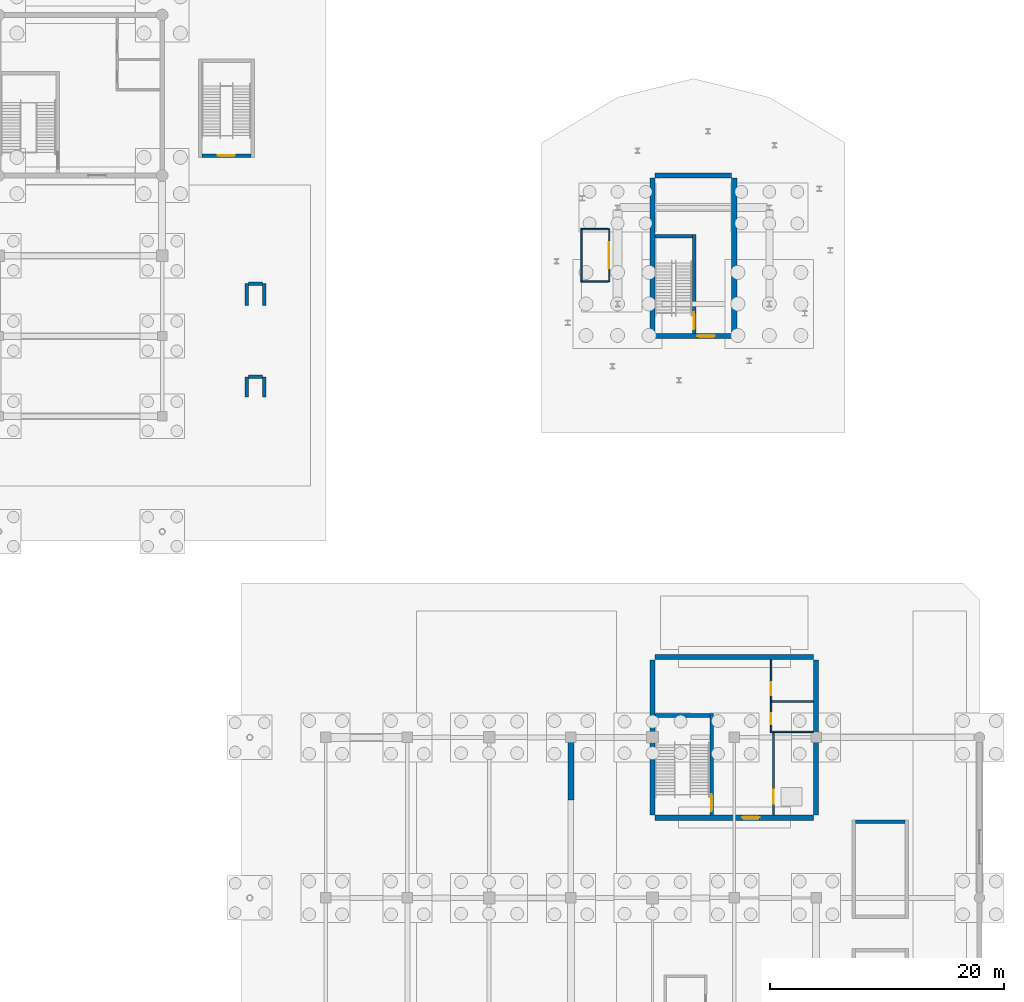
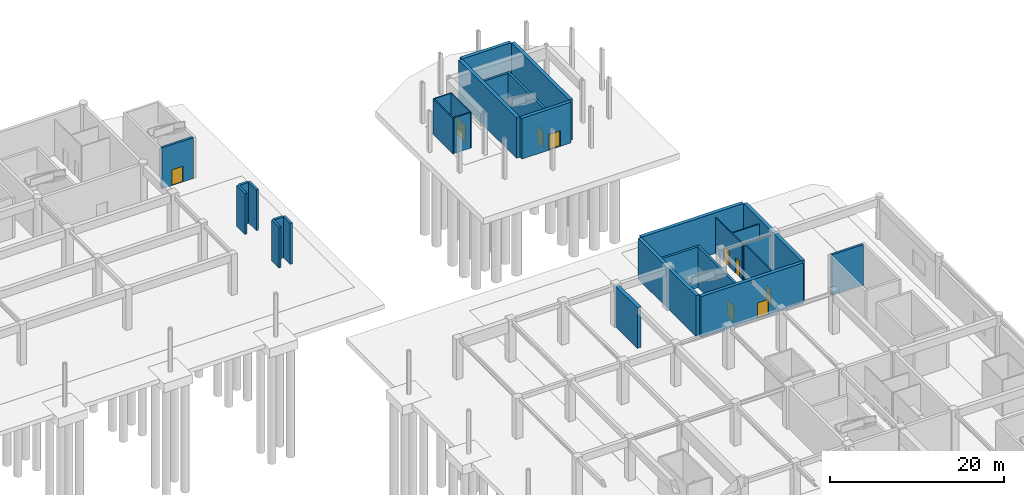
# One storey, part 50 of 62: 29 walls, 9 doors, 9 openings.
"""IFC4 building model written with IfcOpenShell, lengths in metres."""

from ifc_helpers import new_model, si_unit, direction, frame, frame_2d, origin, place, context, subcontext, project, spatial, rectangle, extrude, material, layer, layer_set, type_object, element, fill, save


model = new_model("IFC4")

# Units and contexts
model_context = context("Model", 3, precision=1e-05, world=origin(), true_north=direction((0.0, 1.0)))
body_context = subcontext(model_context, "Body", "Model", "MODEL_VIEW")
ifc_project = project(units=[si_unit("LENGTHUNIT", "METRE"), si_unit("AREAUNIT", "SQUARE_METRE"), si_unit("VOLUMEUNIT", "CUBIC_METRE"), si_unit("PLANEANGLEUNIT", "RADIAN"), si_unit("MASSUNIT", "GRAM", prefix="KILO")], contexts=[model_context])

# Site, building, storey
site_placement = place(None, origin())
site = spatial("IfcSite", under=ifc_project, at=site_placement, CompositionType="ELEMENT")
building_placement = place(site_placement, origin())
building = spatial("IfcBuilding", under=site, at=building_placement, Name="Linyun Crest Stadium", CompositionType="ELEMENT")
storey_placement = place(building_placement, frame((0.0, 0.0, -6.0)))
storey = spatial("IfcBuildingStorey", under=building, at=storey_placement, Name="B1", CompositionType="ELEMENT", Elevation=-6.0)

# Walls
ifc_material_1 = material(Name="Concrete C50", Category="concrete")
ifc_layer_1 = layer(ifc_material_1, 0.449951171875)
ifc_layer_set_1 = layer_set([ifc_layer_1], Name="Concrete C50")
wall_type_1 = type_object("IfcWallType", Name="CW03", PredefinedType="SHEAR", material=ifc_layer_set_1)
for number, where, z_axis, x_axis, name in (
    (1, (70.0, 36.72509765625, 0.0), (0.0, 0.0, 1.0), (0.0, 1.0, 0.0), "Core shear wall CW03 CORE-E3 B1.1"),
    (2, (84.0, 36.72509765625, 0.0), (0.0, 0.0, 1.0), (0.0, 1.0, 0.0), "Core shear wall CW03 CORE-E3 B1.2"),
):
    element("IfcWall", number, at=place(storey_placement, frame(where, z_axis=z_axis, x_axis=x_axis)), inside=storey, type_object=wall_type_1, Name=name, PredefinedType="SHEAR", context=body_context, shape_type="SweptSolid", body=[
        extrude(rectangle(XDim=13.2998046875, YDim=0.449951171875, at=frame_2d((6.64990234375, 0.0))), origin(), (0.0, 0.0, 1.0), 5.719970703125),
    ])

# Wall, opening, door
wall_1_placement = place(storey_placement, frame((70.22509765625, 36.5, 0.0), z_axis=(0.0, 0.0, 1.0), x_axis=(1.0, 0.0, 0.0)))
wall_1 = element("IfcWall", 3, at=wall_1_placement, inside=storey, type_object=wall_type_1, Name="Core shear wall CW03 CORE-E3 B1.3", PredefinedType="SHEAR", context=body_context, shape_type="SweptSolid", body=[
    extrude(rectangle(XDim=13.5498046875, YDim=0.449951171875, at=frame_2d((6.77490234375, 0.0))), origin(), (0.0, 0.0, 1.0), 5.719970703125),
])
opening_1_placement = place(wall_1_placement, frame((7.452880859375, 0.0, 0.0)))
opening_1 = element("IfcOpeningElement", 4, at=opening_1_placement, cuts=wall_1, Name="Opening D-B1-226", PredefinedType="OPENING", context=body_context, shape_type="SweptSolid", body=[
    extrude(rectangle(XDim=1.5, YDim=2.199951171875, at=frame_2d((0.75, 1.10009765625))), frame((0.0, 0.23486328125, 0.0), z_axis=(0.0, -1.0, 0.0), x_axis=(1.0, 0.0, 0.0)), (0.0, 0.0, 1.0), 0.469970703125),
])
ifc_material_2 = material(Name="Galvanized steel Class A fire door", Category="steel")
ifc_layer_2 = layer(ifc_material_2, 0.054931640625)
ifc_layer_set_2 = layer_set([ifc_layer_2], Name="Galvanized steel Class A fire door")
door_type_1 = type_object("IfcDoorType", Name="FD01", OperationType="NOTDEFINED", PredefinedType="DOOR", material=ifc_layer_set_2)
door_1_placement = place(opening_1_placement, origin())
door_1 = element("IfcDoor", 5, at=door_1_placement, inside=storey, type_object=door_type_1, Name="Door D-B1-226", OperationType="SINGLE_SWING_RIGHT", OverallHeight=2.199951171875, OverallWidth=1.5, PredefinedType="DOOR", context=body_context, shape_type="SweptSolid", body=[
    extrude(rectangle(XDim=1.5, YDim=2.199951171875, at=frame_2d((0.75, 1.10009765625))), frame((0.0, 0.02490234375, 0.0), z_axis=(0.0, -1.0, 0.0), x_axis=(1.0, 0.0, 0.0)), (0.0, 0.0, 1.0), 0.050048828125),
])
fill(opening_1, door_1)

# Walls
wall_2_placement = place(storey_placement, frame((70.22509765625, 50.25, 0.0), z_axis=(0.0, 0.0, 1.0), x_axis=(1.0, 0.0, 0.0)))
element("IfcWall", 6, at=wall_2_placement, inside=storey, type_object=wall_type_1, Name="Core shear wall CW03 CORE-E3 B1.4", PredefinedType="SHEAR", context=body_context, shape_type="SweptSolid", body=[
    extrude(rectangle(XDim=13.5498046875, YDim=0.449951171875, at=frame_2d((6.77490234375, 0.0))), origin(), (0.0, 0.0, 1.0), 5.719970703125),
])
for number, where, z_axis, x_axis, name in (
    (7, (70.0, 77.97509765625, 0.0), (0.0, 0.0, 1.0), (0.0, 1.0, 0.0), "Core shear wall CW03 CORE-PNE B1.1"),
    (8, (77.0, 77.97509765625, 0.0), (0.0, 0.0, 1.0), (0.0, 1.0, 0.0), "Core shear wall CW03 CORE-PNE B1.2"),
):
    element("IfcWall", number, at=place(storey_placement, frame(where, z_axis=z_axis, x_axis=x_axis)), inside=storey, type_object=wall_type_1, Name=name, PredefinedType="SHEAR", context=body_context, shape_type="SweptSolid", body=[
        extrude(rectangle(XDim=13.2998046875, YDim=0.449951171875, at=frame_2d((6.64990234375, 0.0))), origin(), (0.0, 0.0, 1.0), 5.719970703125),
    ])

# Wall, opening, door
wall_3_placement = place(storey_placement, frame((70.22509765625, 77.75, 0.0), z_axis=(0.0, 0.0, 1.0), x_axis=(1.0, 0.0, 0.0)))
wall_3 = element("IfcWall", 9, at=wall_3_placement, inside=storey, type_object=wall_type_1, Name="Core shear wall CW03 CORE-PNE B1.3", PredefinedType="SHEAR", context=body_context, shape_type="SweptSolid", body=[
    extrude(rectangle(XDim=6.5498046875, YDim=0.449951171875, at=frame_2d((3.27490234375, 0.0))), origin(), (0.0, 0.0, 1.0), 5.719970703125),
])
opening_2_placement = place(wall_3_placement, frame((3.60302734375, 0.0, 0.0)))
opening_2 = element("IfcOpeningElement", 10, at=opening_2_placement, cuts=wall_3, Name="Opening D-B1-387", PredefinedType="OPENING", context=body_context, shape_type="SweptSolid", body=[
    extrude(rectangle(XDim=1.5, YDim=2.199951171875, at=frame_2d((0.75, 1.10009765625))), frame((0.0, 0.23486328125, 0.0), z_axis=(0.0, -1.0, 0.0), x_axis=(1.0, 0.0, 0.0)), (0.0, 0.0, 1.0), 0.469970703125),
])
door_2_placement = place(opening_2_placement, origin())
door_2 = element("IfcDoor", 11, at=door_2_placement, inside=storey, type_object=door_type_1, Name="Door D-B1-387", OperationType="SINGLE_SWING_LEFT", OverallHeight=2.199951171875, OverallWidth=1.5, PredefinedType="DOOR", context=body_context, shape_type="SweptSolid", body=[
    extrude(rectangle(XDim=1.5, YDim=2.199951171875, at=frame_2d((0.75, 1.10009765625))), frame((0.0, 0.02490234375, 0.0), z_axis=(0.0, -1.0, 0.0), x_axis=(1.0, 0.0, 0.0)), (0.0, 0.0, 1.0), 0.050048828125),
])
fill(opening_2, door_2)

# Wall
wall_4_placement = place(storey_placement, frame((70.22509765625, 91.5, 0.0), z_axis=(0.0, 0.0, 1.0), x_axis=(1.0, 0.0, 0.0)))
element("IfcWall", 12, at=wall_4_placement, inside=storey, type_object=wall_type_1, Name="Core shear wall CW03 CORE-PNE B1.4", PredefinedType="SHEAR", context=body_context, shape_type="SweptSolid", body=[
    extrude(rectangle(XDim=6.5498046875, YDim=0.449951171875, at=frame_2d((3.27490234375, 0.0))), origin(), (0.0, 0.0, 1.0), 5.719970703125),
])

# Wall, opening, door
ifc_material_3 = material(Name="Autoclaved aerated concrete block fire partition", Category="concrete")
ifc_layer_3 = layer(ifc_material_3, 0.179931640625)
ifc_layer_set_3 = layer_set([ifc_layer_3], Name="Autoclaved aerated concrete block fire partition")
wall_type_2 = type_object("IfcWallType", Name="PW12", PredefinedType="PARTITIONING", material=ifc_layer_set_3)
wall_5_placement = place(storey_placement, frame((80.35009765625, 36.72509765625, 0.0), z_axis=(0.0, 0.0, 1.0), x_axis=(0.0, 1.0, 0.0)))
wall_5 = element("IfcWall", 13, at=wall_5_placement, inside=storey, type_object=wall_type_2, Name="Partition PW12 B1 81", PredefinedType="PARTITIONING", context=body_context, shape_type="SweptSolid", body=[
    extrude(rectangle(XDim=7.054931640625, YDim=0.179931640625, at=frame_2d((3.52734375, 0.0))), origin(), (0.0, 0.0, 1.0), 5.02001953125),
])
opening_3_placement = place(wall_5_placement, frame((0.97509765625, 0.0, 0.0)))
opening_3 = element("IfcOpeningElement", 14, at=opening_3_placement, cuts=wall_5, Name="Opening LD079", PredefinedType="OPENING", context=body_context, shape_type="SweptSolid", body=[
    extrude(rectangle(XDim=1.199951171875, YDim=2.25, at=frame_2d((0.60009765625, 1.125))), frame((0.0, 0.099853515625, 0.0), z_axis=(0.0, -1.0, 0.0), x_axis=(1.0, 0.0, 0.0)), (0.0, 0.0, 1.0), 0.199951171875),
])
ifc_material_4 = material(Name="Brushed stainless sliding lift door")
ifc_layer_4 = layer(ifc_material_4, 0.050048828125)
ifc_layer_set_4 = layer_set([ifc_layer_4], Name="Brushed stainless sliding lift door")
door_type_2 = type_object("IfcDoorType", Name="LD02", OperationType="NOTDEFINED", PredefinedType="DOOR", material=ifc_layer_set_4)
door_3_placement = place(opening_3_placement, origin())
door_3 = element("IfcDoor", 15, at=door_3_placement, inside=storey, type_object=door_type_2, Name="Lift landing door LD079", OperationType="DOUBLE_DOOR_SLIDING", OverallHeight=2.25, OverallWidth=1.199951171875, PredefinedType="DOOR", context=body_context, shape_type="SweptSolid", body=[
    extrude(rectangle(XDim=1.199951171875, YDim=2.25, at=frame_2d((0.60009765625, 1.125))), frame((0.0, 0.02490234375, 0.0), z_axis=(0.0, -1.0, 0.0), x_axis=(1.0, 0.0, 0.0)), (0.0, 0.0, 1.0), 0.050048828125),
])
fill(opening_3, door_3)

# Wall, openings, doors
ifc_material_5 = material(Name="Moisture-resistant ceramic-tiled wet-room wall")
ifc_layer_5 = layer(ifc_material_5, 0.139892578125)
ifc_layer_set_5 = layer_set([ifc_layer_5], Name="Moisture-resistant ceramic-tiled wet-room wall")
wall_type_3 = type_object("IfcWallType", Name="PW15", PredefinedType="PARTITIONING", material=ifc_layer_set_5)
wall_6_placement = place(storey_placement, frame((80.14990234375, 43.919921875, 0.0), z_axis=(0.0, 0.0, 1.0), x_axis=(0.0, 1.0, 0.0)))
wall_6 = element("IfcWall", 16, at=wall_6_placement, inside=storey, type_object=wall_type_3, Name="Partition PW15 B1 82", PredefinedType="PARTITIONING", context=body_context, shape_type="SweptSolid", body=[
    extrude(rectangle(XDim=6.10498046875, YDim=0.139892578125, at=frame_2d((3.052490234375, 0.0))), origin(), (0.0, 0.0, 1.0), 5.02001953125),
])
opening_4_placement = place(wall_6_placement, frame((0.580078125, 0.0, 0.0)))
opening_4 = element("IfcOpeningElement", 17, at=opening_4_placement, cuts=wall_6, Name="Opening D-B1-229", PredefinedType="OPENING", context=body_context, shape_type="SweptSolid", body=[
    extrude(rectangle(XDim=0.949951171875, YDim=2.14990234375, at=frame_2d((0.47509765625, 1.074951171875))), frame((0.0, 0.079833984375, 0.0), z_axis=(0.0, -1.0, 0.0), x_axis=(1.0, 0.0, 0.0)), (0.0, 0.0, 1.0), 0.159912109375),
])
opening_5_placement = place(wall_6_placement, frame((3.080078125, 0.0, 0.0)))
opening_5 = element("IfcOpeningElement", 18, at=opening_5_placement, cuts=wall_6, Name="Opening D-B1-230", PredefinedType="OPENING", context=body_context, shape_type="SweptSolid", body=[
    extrude(rectangle(XDim=1.10009765625, YDim=2.14990234375, at=frame_2d((0.550048828125, 1.074951171875))), frame((0.0, 0.079833984375, 0.0), z_axis=(0.0, -1.0, 0.0), x_axis=(1.0, 0.0, 0.0)), (0.0, 0.0, 1.0), 0.159912109375),
])
ifc_material_6 = material(Name="Moisture-resistant laminate leaf")
ifc_layer_6 = layer(ifc_material_6, 0.044921875)
ifc_layer_set_6 = layer_set([ifc_layer_6], Name="Moisture-resistant laminate leaf")
door_type_3 = type_object("IfcDoorType", Name="ID02", OperationType="NOTDEFINED", PredefinedType="DOOR", material=ifc_layer_set_6)
door_4_placement = place(opening_4_placement, origin())
door_4 = element("IfcDoor", 19, at=door_4_placement, inside=storey, type_object=door_type_3, Name="Door D-B1-229", OperationType="SINGLE_SWING_LEFT", OverallHeight=2.14990234375, OverallWidth=0.949951171875, PredefinedType="DOOR", context=body_context, shape_type="SweptSolid", body=[
    extrude(rectangle(XDim=0.949951171875, YDim=2.14990234375, at=frame_2d((0.47509765625, 1.074951171875))), frame((0.0, 0.02490234375, 0.0), z_axis=(0.0, -1.0, 0.0), x_axis=(1.0, 0.0, 0.0)), (0.0, 0.0, 1.0), 0.050048828125),
])
fill(opening_4, door_4)
ifc_material_7 = material(Name="Moisture-resistant laminate leaf")
ifc_layer_7 = layer(ifc_material_7, 0.044921875)
ifc_layer_set_7 = layer_set([ifc_layer_7], Name="Moisture-resistant laminate leaf")
door_type_4 = type_object("IfcDoorType", Name="ID03", OperationType="NOTDEFINED", PredefinedType="DOOR", material=ifc_layer_set_7)
door_5_placement = place(opening_5_placement, origin())
door_5 = element("IfcDoor", 20, at=door_5_placement, inside=storey, type_object=door_type_4, Name="Door D-B1-230", OperationType="SINGLE_SWING_RIGHT", OverallHeight=2.14990234375, OverallWidth=1.10009765625, PredefinedType="DOOR", context=body_context, shape_type="SweptSolid", body=[
    extrude(rectangle(XDim=1.10009765625, YDim=2.14990234375, at=frame_2d((0.550048828125, 1.074951171875))), frame((0.0, 0.02490234375, 0.0), z_axis=(0.0, -1.0, 0.0), x_axis=(1.0, 0.0, 0.0)), (0.0, 0.0, 1.0), 0.050048828125),
])
fill(opening_5, door_5)

# Walls
wall_7_placement = place(storey_placement, frame((80.080078125, 43.85009765625, 0.0), z_axis=(0.0, 0.0, 1.0), x_axis=(1.0, 0.0, 0.0)))
element("IfcWall", 21, at=wall_7_placement, inside=storey, type_object=wall_type_3, Name="Enclosure partition PW15 B1 67", PredefinedType="PARTITIONING", context=body_context, shape_type="SweptSolid", body=[
    extrude(rectangle(XDim=3.69482421875, YDim=0.139892578125, at=frame_2d((1.847412109375, 0.0))), origin(), (0.0, 0.0, 1.0), 5.02001953125),
])
wall_8_placement = place(storey_placement, frame((80.219970703125, 46.449951171875, 0.0), z_axis=(0.0, 0.0, 1.0), x_axis=(1.0, 0.0, 0.0)))
element("IfcWall", 22, at=wall_8_placement, inside=storey, type_object=wall_type_3, Name="Enclosure partition PW15 B1 68", PredefinedType="PARTITIONING", context=body_context, shape_type="SweptSolid", body=[
    extrude(rectangle(XDim=3.554931640625, YDim=0.139892578125, at=frame_2d((1.77734375, 0.0))), origin(), (0.0, 0.0, 1.0), 5.02001953125),
])

# Wall, opening, door
ifc_material_8 = material(Name="Steel-stud hospitality suite partition", Category="steel")
ifc_layer_8 = layer(ifc_material_8, 0.125)
ifc_layer_set_8 = layer_set([ifc_layer_8], Name="Steel-stud hospitality suite partition")
wall_type_4 = type_object("IfcWallType", Name="PW17", PredefinedType="PARTITIONING", material=ifc_layer_set_8)
wall_9_placement = place(storey_placement, frame((66.27490234375, 86.968017578125, 0.0), z_axis=(0.0, 0.0, 1.0), x_axis=(0.0, -1.0, 0.0)))
wall_9 = element("IfcWall", 23, at=wall_9_placement, inside=storey, type_object=wall_type_4, Name="Partition PW17 B1 266", PredefinedType="PARTITIONING", context=body_context, shape_type="SweptSolid", body=[
    extrude(rectangle(XDim=4.60009765625, YDim=0.125, at=frame_2d((2.300048828125, 0.0))), origin(), (0.0, 0.0, 1.0), 5.02001953125),
])
opening_6_placement = place(wall_9_placement, frame((1.175048828125, 0.0, 0.0)))
opening_6 = element("IfcOpeningElement", 24, at=opening_6_placement, cuts=wall_9, Name="Opening D-B1-529", PredefinedType="OPENING", context=body_context, shape_type="SweptSolid", body=[
    extrude(rectangle(XDim=2.25, YDim=2.449951171875, at=frame_2d((1.125, 1.22509765625))), frame((0.0, 0.072509765625, 0.0), z_axis=(0.0, -1.0, 0.0), x_axis=(1.0, 0.0, 0.0)), (0.0, 0.0, 1.0), 0.14501953125),
])
ifc_material_9 = material(Name="Double-leaf anodized aluminium door", Category="aluminium")
ifc_layer_9 = layer(ifc_material_9, 0.054931640625)
ifc_layer_set_9 = layer_set([ifc_layer_9], Name="Double-leaf anodized aluminium door")
door_type_5 = type_object("IfcDoorType", Name="ID10", OperationType="NOTDEFINED", PredefinedType="DOOR", material=ifc_layer_set_9)
door_6_placement = place(opening_6_placement, origin())
door_6 = element("IfcDoor", 25, at=door_6_placement, inside=storey, type_object=door_type_5, Name="Door D-B1-529", OperationType="DOUBLE_DOOR_SINGLE_SWING", OverallHeight=2.449951171875, OverallWidth=2.25, PredefinedType="DOOR", context=body_context, shape_type="SweptSolid", body=[
    extrude(rectangle(XDim=2.25, YDim=2.449951171875, at=frame_2d((1.125, 1.22509765625))), frame((0.0, 0.02490234375, 0.0), z_axis=(0.0, -1.0, 0.0), x_axis=(1.0, 0.0, 0.0)), (0.0, 0.0, 1.0), 0.050048828125),
])
fill(opening_6, door_6)

# Walls
wall_10_placement = place(storey_placement, frame((63.925048828125, 82.367919921875, 0.0), z_axis=(0.0, 0.0, 1.0), x_axis=(0.0, 1.0, 0.0)))
element("IfcWall", 26, at=wall_10_placement, inside=storey, type_object=wall_type_4, Name="Enclosure partition PW17 B1 514", PredefinedType="PARTITIONING", context=body_context, shape_type="SweptSolid", body=[
    extrude(rectangle(XDim=4.60009765625, YDim=0.125, at=frame_2d((2.300048828125, 0.0))), origin(), (0.0, 0.0, 1.0), 5.02001953125),
])
for number, where, z_axis, x_axis, name in (
    (27, (63.988037109375, 82.430908203125, 0.0), (0.0, 0.0, 1.0), (1.0, 0.0, 0.0), "Enclosure partition PW17 B1 515"),
    (28, (63.988037109375, 86.905029296875, 0.0), (0.0, 0.0, 1.0), (1.0, 0.0, 0.0), "Enclosure partition PW17 B1 516"),
):
    element("IfcWall", number, at=place(storey_placement, frame(where, z_axis=z_axis, x_axis=x_axis)), inside=storey, type_object=wall_type_4, Name=name, PredefinedType="PARTITIONING", context=body_context, shape_type="SweptSolid", body=[
        extrude(rectangle(XDim=2.223876953125, YDim=0.125, at=frame_2d((1.11181640625, 0.0))), origin(), (0.0, 0.0, 1.0), 5.02001953125),
    ])

# Wall, opening, door
ifc_material_10 = material(Name="Concrete C50", Category="concrete")
ifc_layer_10 = layer(ifc_material_10, 0.300048828125)
ifc_layer_set_10 = layer_set([ifc_layer_10], Name="Concrete C50")
wall_type_5 = type_object("IfcWallType", Name="SW01", PredefinedType="SHEAR", material=ifc_layer_set_10)
wall_11_placement = place(storey_placement, frame((75.050048828125, 36.72509765625, 0.0), z_axis=(0.0, 0.0, 1.0), x_axis=(0.0, 1.0, 0.0)))
wall_11 = element("IfcWall", 29, at=wall_11_placement, inside=storey, type_object=wall_type_5, Name="Core stair east bearing wall SW01 6 B1", PredefinedType="SHEAR", context=body_context, shape_type="SweptSolid", body=[
    extrude(rectangle(XDim=8.6748046875, YDim=0.300048828125, at=frame_2d((4.33740234375, 0.0))), origin(), (0.0, 0.0, 1.0), 5.719970703125),
])
opening_7_placement = place(wall_11_placement, frame((0.344970703125, 0.0, 0.0)))
opening_7 = element("IfcOpeningElement", 30, at=opening_7_placement, cuts=wall_11, Name="Opening D-B1-227", PredefinedType="OPENING", context=body_context, shape_type="SweptSolid", body=[
    extrude(rectangle(XDim=1.449951171875, YDim=2.199951171875, at=frame_2d((0.72509765625, 1.10009765625))), frame((0.0, 0.159912109375, 0.0), z_axis=(0.0, -1.0, 0.0), x_axis=(1.0, 0.0, 0.0)), (0.0, 0.0, 1.0), 0.320068359375),
])
ifc_material_11 = material(Name="Galvanized steel Class A fire door", Category="steel")
ifc_layer_11 = layer(ifc_material_11, 0.054931640625)
ifc_layer_set_11 = layer_set([ifc_layer_11], Name="Galvanized steel Class A fire door")
door_type_6 = type_object("IfcDoorType", Name="FD02", OperationType="NOTDEFINED", PredefinedType="DOOR", material=ifc_layer_set_11)
door_7_placement = place(opening_7_placement, origin())
door_7 = element("IfcDoor", 31, at=door_7_placement, inside=storey, type_object=door_type_6, Name="Door D-B1-227", OperationType="SINGLE_SWING_LEFT", OverallHeight=2.199951171875, OverallWidth=1.449951171875, PredefinedType="DOOR", context=body_context, shape_type="SweptSolid", body=[
    extrude(rectangle(XDim=1.449951171875, YDim=2.199951171875, at=frame_2d((0.72509765625, 1.10009765625))), frame((0.0, 0.02490234375, 0.0), z_axis=(0.0, -1.0, 0.0), x_axis=(1.0, 0.0, 0.0)), (0.0, 0.0, 1.0), 0.050048828125),
])
fill(opening_7, door_7)

wall_12_placement = place(storey_placement, frame((73.550048828125, 77.97509765625, 0.0), z_axis=(0.0, 0.0, 1.0), x_axis=(0.0, 1.0, 0.0)))
wall_12 = element("IfcWall", 32, at=wall_12_placement, inside=storey, type_object=wall_type_5, Name="Core stair east bearing wall SW01 12 B1", PredefinedType="SHEAR", context=body_context, shape_type="SweptSolid", body=[
    extrude(rectangle(XDim=8.474853515625, YDim=0.300048828125, at=frame_2d((4.2373046875, 0.0))), origin(), (0.0, 0.0, 1.0), 5.719970703125),
])
opening_8_placement = place(wall_12_placement, frame((0.344970703125, 0.0, 0.0)))
opening_8 = element("IfcOpeningElement", 33, at=opening_8_placement, cuts=wall_12, Name="Opening D-B1-388", PredefinedType="OPENING", context=body_context, shape_type="SweptSolid", body=[
    extrude(rectangle(XDim=1.449951171875, YDim=2.199951171875, at=frame_2d((0.72509765625, 1.10009765625))), frame((0.0, 0.159912109375, 0.0), z_axis=(0.0, -1.0, 0.0), x_axis=(1.0, 0.0, 0.0)), (0.0, 0.0, 1.0), 0.320068359375),
])
door_8_placement = place(opening_8_placement, origin())
door_8 = element("IfcDoor", 34, at=door_8_placement, inside=storey, type_object=door_type_6, Name="Door D-B1-388", OperationType="SINGLE_SWING_RIGHT", OverallHeight=2.199951171875, OverallWidth=1.449951171875, PredefinedType="DOOR", context=body_context, shape_type="SweptSolid", body=[
    extrude(rectangle(XDim=1.449951171875, YDim=2.199951171875, at=frame_2d((0.72509765625, 1.10009765625))), frame((0.0, 0.02490234375, 0.0), z_axis=(0.0, -1.0, 0.0), x_axis=(1.0, 0.0, 0.0)), (0.0, 0.0, 1.0), 0.050048828125),
])
fill(opening_8, door_8)

# Walls
wall_13_placement = place(storey_placement, frame((70.22509765625, 45.25, 0.0), z_axis=(0.0, 0.0, 1.0), x_axis=(1.0, 0.0, 0.0)))
element("IfcWall", 35, at=wall_13_placement, inside=storey, type_object=wall_type_5, Name="Core stair bearing wall SW01 6 B1", PredefinedType="SHEAR", context=body_context, shape_type="SweptSolid", body=[
    extrude(rectangle(XDim=4.6748046875, YDim=0.300048828125, at=frame_2d((2.33740234375, 0.0))), origin(), (0.0, 0.0, 1.0), 5.719970703125),
])
wall_14_placement = place(storey_placement, frame((70.22509765625, 86.300048828125, 0.0), z_axis=(0.0, 0.0, 1.0), x_axis=(1.0, 0.0, 0.0)))
element("IfcWall", 36, at=wall_14_placement, inside=storey, type_object=wall_type_5, Name="Core stair bearing wall SW01 12 B1", PredefinedType="SHEAR", context=body_context, shape_type="SweptSolid", body=[
    extrude(rectangle(XDim=3.1748046875, YDim=0.300048828125, at=frame_2d((1.58740234375, 0.0))), origin(), (0.0, 0.0, 1.0), 5.719970703125),
])
wall_15_placement = place(storey_placement, frame((87.39990234375, 36.14990234375, 0.0), z_axis=(0.0, 0.0, 1.0), x_axis=(1.0, 0.0, 0.0)))
element("IfcWall", 37, at=wall_15_placement, inside=storey, type_object=wall_type_5, Name="Stair shaft wall SW01 STR-22 B1 N", PredefinedType="SHEAR", context=body_context, shape_type="SweptSolid", body=[
    extrude(rectangle(XDim=4.2001953125, YDim=0.300048828125, at=frame_2d((2.10009765625, 0.0))), origin(), (0.0, 0.0, 1.0), 5.719970703125),
])

# Wall, opening, door
wall_16_placement = place(storey_placement, frame((31.39990234375, 93.199951171875, 0.0), z_axis=(0.0, 0.0, 1.0), x_axis=(1.0, 0.0, 0.0)))
wall_16 = element("IfcWall", 38, at=wall_16_placement, inside=storey, type_object=wall_type_5, Name="Stair shaft wall SW01 STR-26 B1 S", PredefinedType="SHEAR", context=body_context, shape_type="SweptSolid", body=[
    extrude(rectangle(XDim=4.2001953125, YDim=0.300048828125, at=frame_2d((2.10009765625, 0.0))), origin(), (0.0, 0.0, 1.0), 5.75),
])
opening_9_placement = place(wall_16_placement, frame((1.375, 0.0, 0.0)))
opening_9 = element("IfcOpeningElement", 39, at=opening_9_placement, cuts=wall_16, Name="Opening D-B1-610", PredefinedType="OPENING", context=body_context, shape_type="SweptSolid", body=[
    extrude(rectangle(XDim=1.449951171875, YDim=2.199951171875, at=frame_2d((0.72509765625, 1.10009765625))), frame((0.0, 0.159912109375, 0.0), z_axis=(0.0, -1.0, 0.0), x_axis=(1.0, 0.0, 0.0)), (0.0, 0.0, 1.0), 0.320068359375),
])
door_9_placement = place(opening_9_placement, origin())
door_9 = element("IfcDoor", 40, at=door_9_placement, inside=storey, type_object=door_type_6, Name="Door D-B1-610", OperationType="SINGLE_SWING_RIGHT", OverallHeight=2.199951171875, OverallWidth=1.449951171875, PredefinedType="DOOR", context=body_context, shape_type="SweptSolid", body=[
    extrude(rectangle(XDim=1.449951171875, YDim=2.199951171875, at=frame_2d((0.72509765625, 1.10009765625))), frame((0.0, 0.02490234375, 0.0), z_axis=(0.0, -1.0, 0.0), x_axis=(1.0, 0.0, 0.0)), (0.0, 0.0, 1.0), 0.050048828125),
])
fill(opening_9, door_9)

# Walls
for number, where, z_axis, x_axis, name in (
    (41, (35.25, 72.550048828125, 0.0), (0.0, 0.0, 1.0), (0.0, 1.0, 0.0), "Ramp sub-plinth wall SW01 RMP-08.1W"),
    (42, (36.75, 72.550048828125, 0.0), (0.0, 0.0, 1.0), (0.0, 1.0, 0.0), "Ramp sub-plinth wall SW01 RMP-08.1E"),
):
    element("IfcWall", number, at=place(storey_placement, frame(where, z_axis=z_axis, x_axis=x_axis)), inside=storey, type_object=wall_type_5, Name=name, PredefinedType="SHEAR", context=body_context, shape_type="SweptSolid", body=[
        extrude(rectangle(XDim=1.699951171875, YDim=0.300048828125, at=frame_2d((0.85009765625, 0.0))), origin(), (0.0, 0.0, 1.0), 5.75),
    ])
wall_17_placement = place(storey_placement, frame((35.39990234375, 74.25, 0.0), z_axis=(0.0, 0.0, 1.0), x_axis=(1.0, 0.0, 0.0)))
element("IfcWall", 43, at=wall_17_placement, inside=storey, type_object=wall_type_5, Name="Ramp sub-plinth wall SW01 RMP-08.1N", PredefinedType="SHEAR", context=body_context, shape_type="SweptSolid", body=[
    extrude(rectangle(XDim=1.2001953125, YDim=0.300048828125, at=frame_2d((0.60009765625, 0.0))), origin(), (0.0, 0.0, 1.0), 5.75),
])
for number, where, z_axis, x_axis, name in (
    (44, (35.25, 80.35009765625, 0.0), (0.0, 0.0, 1.0), (0.0, 1.0, 0.0), "Ramp sub-plinth wall SW01 RMP-08.2W"),
    (45, (36.75, 80.35009765625, 0.0), (0.0, 0.0, 1.0), (0.0, 1.0, 0.0), "Ramp sub-plinth wall SW01 RMP-08.2E"),
):
    element("IfcWall", number, at=place(storey_placement, frame(where, z_axis=z_axis, x_axis=x_axis)), inside=storey, type_object=wall_type_5, Name=name, PredefinedType="SHEAR", context=body_context, shape_type="SweptSolid", body=[
        extrude(rectangle(XDim=1.89990234375, YDim=0.300048828125, at=frame_2d((0.949951171875, 0.0))), origin(), (0.0, 0.0, 1.0), 5.75),
    ])
wall_18_placement = place(storey_placement, frame((35.39990234375, 82.25, 0.0), z_axis=(0.0, 0.0, 1.0), x_axis=(1.0, 0.0, 0.0)))
element("IfcWall", 46, at=wall_18_placement, inside=storey, type_object=wall_type_5, Name="Ramp sub-plinth wall SW01 RMP-08.2N", PredefinedType="SHEAR", context=body_context, shape_type="SweptSolid", body=[
    extrude(rectangle(XDim=1.2001953125, YDim=0.300048828125, at=frame_2d((0.60009765625, 0.0))), origin(), (0.0, 0.0, 1.0), 5.75),
])
ifc_material_12 = material(Name="Concrete C50", Category="concrete")
ifc_layer_12 = layer(ifc_material_12, 0.5)
ifc_layer_set_12 = layer_set([ifc_layer_12], Name="Concrete C50")
wall_type_6 = type_object("IfcWallType", Name="SW03", PredefinedType="SHEAR", material=ifc_layer_set_12)
wall_19_placement = place(storey_placement, frame((63.0, 38.0, 0.0), z_axis=(0.0, 0.0, 1.0), x_axis=(0.0, 1.0, 0.0)))
element("IfcWall", 47, at=wall_19_placement, inside=storey, type_object=wall_type_6, Name="Shear wall SW03 B1 313", PredefinedType="SHEAR", context=body_context, shape_type="SweptSolid", body=[
    extrude(rectangle(XDim=5.0, YDim=0.5, at=frame_2d((2.5, 0.0))), origin(), (0.0, 0.0, 1.0), 5.719970703125),
])

save(model, "model.ifc")
